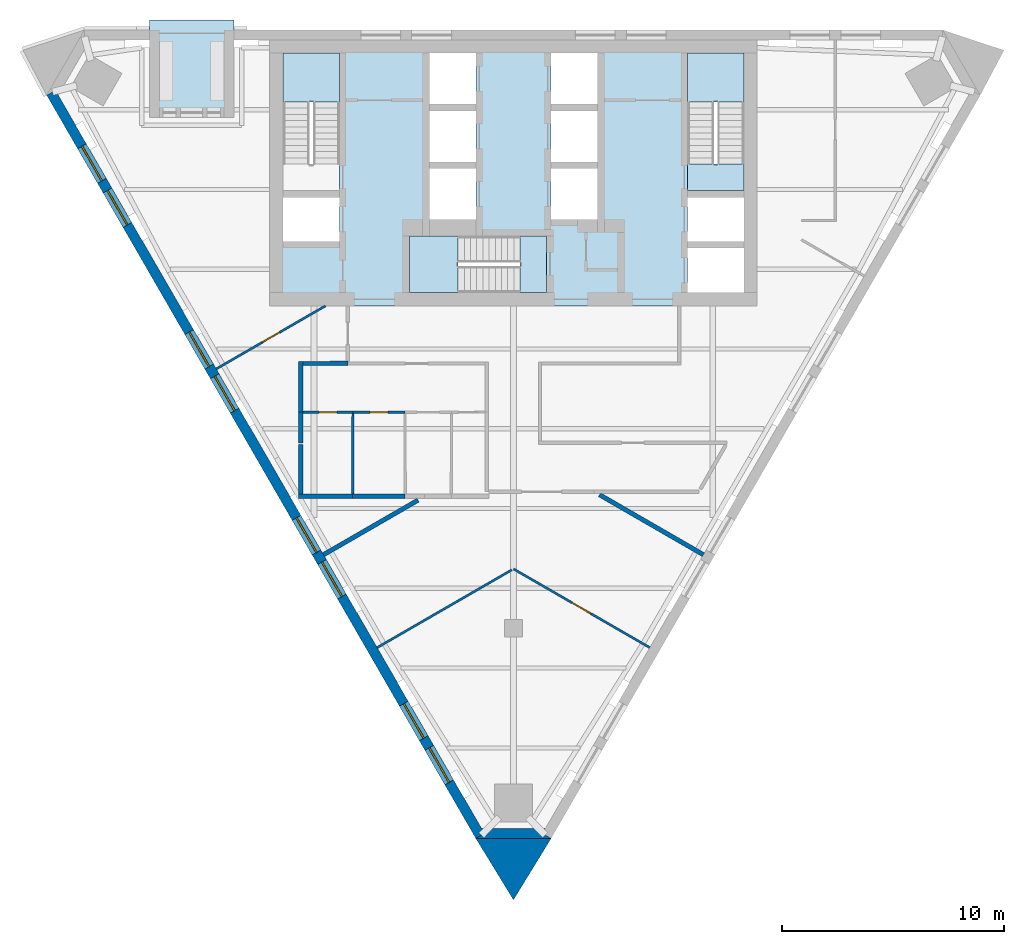
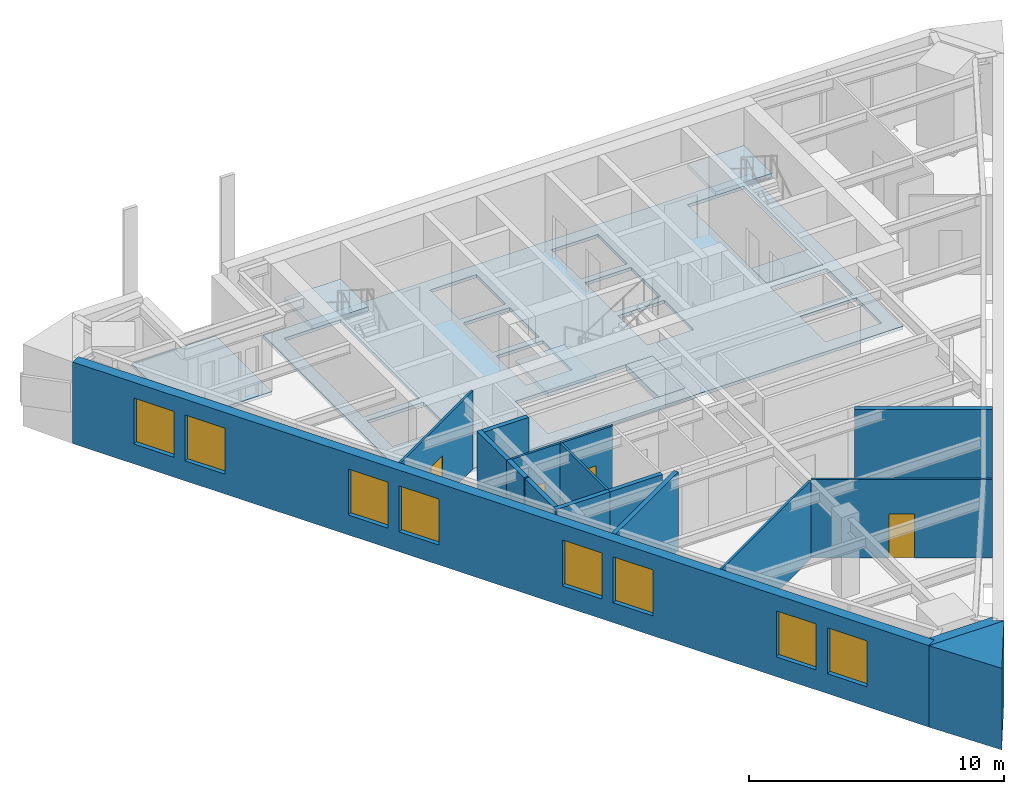
# One storey, part 2 of 6: 17 walls, 8 windows, 7 slabs, 4 doors, 12 openings, 3 elements without a shape of their own.
"""IFC4 building model written with IfcOpenShell, lengths in metres."""

import ifcopenshell
import ifcopenshell.guid

model = None  # the IFC model being written
_history = None  # IfcOwnerHistory: only IFC2X3 demands one
_inside = {}  # id of a spatial element -> (the spatial element, [elements in it])
_under = {}  # id of a project, library or spatial element -> (it, [spatial elements below it])
_declared = {}  # id of a project -> (the project, [libraries it declares])
_typed = {}  # id of a type object -> (the type object, [elements of that type])
_made_of = {}  # id of a material, layer set ... -> (it, [elements and type objects made of it])


def new_model(schema):
    """Start an empty IFC model of exactly this schema.

    Asked for "IFC4X3", IfcOpenShell would pick the latest addendum, in which some entities
    have other attributes; the version numbers below select the first issue.
    IFC2X3 requires an IfcOwnerHistory on every rooted entity: one is made here for all.
    """
    global model, _history
    if schema == "IFC4X3":
        model = ifcopenshell.file(schema_version=(4, 3, 0, 0))
    else:
        model = ifcopenshell.file(schema=schema)
    _inside.clear()
    _under.clear()
    _declared.clear()
    _typed.clear()
    _made_of.clear()
    _history = None
    if model.schema == "IFC2X3":
        org = make("IfcOrganization", Name="unknown")
        user = make(
            "IfcPersonAndOrganization",
            ThePerson=make("IfcPerson", FamilyName="unknown"),
            TheOrganization=org,
        )
        app = make(
            "IfcApplication",
            ApplicationDeveloper=org,
            Version="unknown",
            ApplicationFullName="unknown",
            ApplicationIdentifier="unknown",
        )
        _history = make(
            "IfcOwnerHistory",
            OwningUser=user,
            OwningApplication=app,
            ChangeAction="ADDED",
            CreationDate=0,
        )
    return model


def make(cls, **values):
    """One entity of the class cls with the attributes given. An attribute that is None is left unset."""
    return model.create_entity(
        cls, **{name: value for name, value in values.items() if value is not None}
    )


def rooted(cls, **values):
    """An entity with a GlobalId (a new one), such as an element, a storey or a relation."""
    return make(cls, GlobalId=ifcopenshell.guid.new(), OwnerHistory=_history, **values)


def si_unit(unit_type, name, prefix=None):
    """IfcSIUnit, for example si_unit("LENGTHUNIT", "METRE", prefix="MILLI")."""
    return make("IfcSIUnit", UnitType=unit_type, Prefix=prefix, Name=name)


def assignment(units):
    """IfcUnitAssignment: the units of a project."""
    return None if units is None else make("IfcUnitAssignment", Units=units)


def point(xyz):
    """IfcCartesianPoint."""
    return None if xyz is None else make("IfcCartesianPoint", Coordinates=xyz)


def direction(xyz):
    """IfcDirection."""
    return None if xyz is None else make("IfcDirection", DirectionRatios=xyz)


def frame(location, z_axis=None, x_axis=None):
    """IfcAxis2Placement3D, a coordinate frame: its origin and axes. An axis left out is left unset."""
    return make(
        "IfcAxis2Placement3D",
        Location=point(location),
        Axis=direction(z_axis),
        RefDirection=direction(x_axis),
    )


def frame_2d(location, x_axis=None):
    """IfcAxis2Placement2D, a coordinate frame in the plane: its origin and x axis."""
    return make(
        "IfcAxis2Placement2D", Location=point(location), RefDirection=direction(x_axis)
    )


def origin():
    """The frame at (0, 0, 0) with its axes left unset."""
    return frame((0.0, 0.0, 0.0))


def place(relative_to, where):
    """IfcLocalPlacement: puts the frame where relative to a parent placement (None: the world)."""
    return make(
        "IfcLocalPlacement", PlacementRelTo=relative_to, RelativePlacement=where
    )


def context(
    kind, dimensions, precision=None, world=None, true_north=None, identifier=None
):
    """IfcGeometricRepresentationContext, for example the 3D "Model" context."""
    return make(
        "IfcGeometricRepresentationContext",
        ContextIdentifier=identifier,
        ContextType=kind,
        CoordinateSpaceDimension=dimensions,
        Precision=precision,
        WorldCoordinateSystem=world,
        TrueNorth=true_north,
    )


def subcontext(parent, identifier, kind, view, scale=None):
    """IfcGeometricRepresentationSubContext, for example "Body" below "Model"."""
    return make(
        "IfcGeometricRepresentationSubContext",
        ContextIdentifier=identifier,
        ContextType=kind,
        ParentContext=parent,
        TargetScale=scale,
        TargetView=view,
    )


def project(units=None, contexts=None):
    """IfcProject with its units and contexts."""
    return rooted(
        "IfcProject",
        Name="project",
        RepresentationContexts=contexts,
        UnitsInContext=assignment(units),
    )


def spatial(cls, under=None, at=None, **own):
    """A site, building, storey or space (cls), placed at a placement, below another one or the project."""
    s = rooted(cls, ObjectPlacement=at, **own)
    if under is not None:
        _under.setdefault(under.id(), (under, []))[1].append(s)
    return s


def polyline(points):
    """IfcPolyline through the points."""
    return make("IfcPolyline", Points=[point(p) for p in points])


def profile(cls, at=None, kind="AREA", **sizes):
    """A parametric profile (cls). Its sizes go by their IFC names, for example OverallWidth=200.0."""
    return make(cls, ProfileType=kind, Position=at, **sizes)


def rectangle(**sizes):
    """IfcRectangleProfileDef."""
    return profile("IfcRectangleProfileDef", **sizes)


def outline(outer, holes=None, kind="AREA"):
    """IfcArbitraryClosedProfileDef: a profile drawn as a closed curve; with holes, ...WithVoids."""
    if holes is None:
        return make("IfcArbitraryClosedProfileDef", ProfileType=kind, OuterCurve=outer)
    return make(
        "IfcArbitraryProfileDefWithVoids",
        ProfileType=kind,
        OuterCurve=outer,
        InnerCurves=holes,
    )


def extrude(swept, where, along, depth):
    """IfcExtrudedAreaSolid: the profile swept, set in the frame where, extruded along a direction by depth."""
    return make(
        "IfcExtrudedAreaSolid",
        SweptArea=swept,
        Position=where,
        ExtrudedDirection=direction(along),
        Depth=depth,
    )


def shape(context_of_items, identifier, shape_type, items):
    """IfcShapeRepresentation: the items that make up one representation, for example the "Body"."""
    return make(
        "IfcShapeRepresentation",
        ContextOfItems=context_of_items,
        RepresentationIdentifier=identifier,
        RepresentationType=shape_type,
        Items=items,
    )


def material(Name=None, Category=None):
    """IfcMaterial."""
    return make("IfcMaterial", Name=Name, Category=Category)


def layer(
    of_material, thickness, ventilated=None, Name=None, Category=None, Priority=None
):
    """IfcMaterialLayer: one layer of a wall or slab, of a material (None: an air gap)."""
    return make(
        "IfcMaterialLayer",
        Material=of_material,
        LayerThickness=thickness,
        IsVentilated=ventilated,
        Name=Name,
        Category=Category,
        Priority=Priority,
    )


def layer_set(layers, Name=None):
    """IfcMaterialLayerSet."""
    return make("IfcMaterialLayerSet", MaterialLayers=layers, LayerSetName=Name)


def made_of(thing, what):
    """Note that an element or type object is made of a material, layer set ...; save() writes the relation."""
    if what is not None:
        _made_of.setdefault(what.id(), (what, []))[1].append(thing)
    return thing


def type_object(cls, material=None, **own):
    """A type object (cls), such as IfcWallType, which elements share."""
    return made_of(rooted(cls, **own), material)


def element(
    cls,
    number,
    at=None,
    inside=None,
    cuts=None,
    type_object=None,
    material=None,
    context=None,
    identifier="Body",
    shape_type=None,
    held_by="IfcProductDefinitionShape",
    body=None,
    shapes=None,
    **own,
):
    """One element of the class cls, such as IfcWall. Its Tag is "e" and its number.

    at: its placement. inside: the storey or other place that contains it. cuts: it is an
    opening in that element (IfcRelVoidsElement). A single representation is given by context,
    identifier, shape_type and body (its items); several are given by shapes. held_by: the class
    of the entity that holds the representations. save() writes the other relations.
    """
    e = rooted(cls, Tag="e%d" % number, ObjectPlacement=at, **own)
    if body is not None:
        shapes = [shape(context, identifier, shape_type, body)]
    if shapes is not None:
        e.Representation = make(held_by, Representations=shapes)
    if inside is not None:
        _inside.setdefault(inside.id(), (inside, []))[1].append(e)
    if cuts is not None:
        rooted(
            "IfcRelVoidsElement", RelatingBuildingElement=cuts, RelatedOpeningElement=e
        )
    if type_object is not None:
        _typed.setdefault(type_object.id(), (type_object, []))[1].append(e)
    return made_of(e, material)


def fill(opening, filler):
    """IfcRelFillsElement: the door or window that sits in an opening."""
    return rooted(
        "IfcRelFillsElement",
        RelatingOpeningElement=opening,
        RelatedBuildingElement=filler,
    )


def aggregate(whole, parts):
    """IfcRelAggregates: a whole, such as a stair, and the parts it consists of."""
    return rooted("IfcRelAggregates", RelatingObject=whole, RelatedObjects=parts)


def save(model, path):
    """Write the relations noted so far, then the file.

    IfcRelAggregates (storeys below a building ...), IfcRelContainedInSpatialStructure (elements
    in a storey), IfcRelDefinesByType, IfcRelAssociatesMaterial and IfcRelDeclares: one each for
    every whole, place, type object, material and project.
    """
    for whole, parts in _under.values():
        aggregate(whole, parts)
    for where, things in _inside.values():
        rooted(
            "IfcRelContainedInSpatialStructure",
            RelatedElements=things,
            RelatingStructure=where,
        )
    for kind, things in _typed.values():
        rooted("IfcRelDefinesByType", RelatedObjects=things, RelatingType=kind)
    for what, things in _made_of.values():
        rooted("IfcRelAssociatesMaterial", RelatedObjects=things, RelatingMaterial=what)
    for by, libraries in _declared.values():
        rooted("IfcRelDeclares", RelatingContext=by, RelatedDefinitions=libraries)
    model.write(path)


model = new_model("IFC4")

# Units and contexts
model_context = context("Model", 3, precision=1e-05, world=origin(), true_north=direction((0.0, 1.0)))
body_context = subcontext(model_context, "Body", "Model", "MODEL_VIEW")
ifc_project = project(units=[si_unit("LENGTHUNIT", "METRE"), si_unit("AREAUNIT", "SQUARE_METRE"), si_unit("VOLUMEUNIT", "CUBIC_METRE"), si_unit("PLANEANGLEUNIT", "RADIAN"), si_unit("MASSUNIT", "GRAM", prefix="KILO")], contexts=[model_context])

# Site, building, storey
site_placement = place(None, origin())
site = spatial("IfcSite", under=ifc_project, at=site_placement, CompositionType="ELEMENT")
building_placement = place(site_placement, origin())
building = spatial("IfcBuilding", under=site, at=building_placement, Name="Aloe Facet Convention Tower", CompositionType="ELEMENT")
storey_placement = place(building_placement, frame((0.0, 0.0, 191.89990234375)))
storey = spatial("IfcBuildingStorey", under=building, at=storey_placement, Name="L48", CompositionType="ELEMENT", Elevation=191.89990234375)

# Slabs
ifc_material_1 = material(Name="Concrete C50/60", Category="concrete")
ifc_layer_1 = layer(ifc_material_1, 0.14990234375)
ifc_layer_set_1 = layer_set([ifc_layer_1], Name="CR-S-FLOOR150-C5060")
slab_type_1 = type_object("IfcSlabType", Name="CR-S-FLOOR150-C5060", PredefinedType="FLOOR", material=ifc_layer_set_1)
slab_1_placement = place(storey_placement, frame((0.0, 0.0, -0.14990234375)))
element("IfcSlab", 1, at=slab_1_placement, inside=storey, type_object=slab_type_1, Name="Core floor L48", PredefinedType="FLOOR", context=body_context, shape_type="SweptSolid", body=[
    extrude(outline(polyline([(71.85009765625, 134.550048828125), (72.75, 134.550048828125), (75.60009765625, 134.550048828125), (76.5, 134.550048828125), (78.0, 134.550048828125), (78.89990234375, 134.550048828125), (81.10009765625, 134.550048828125), (82.0, 134.550048828125), (83.5, 134.550048828125), (84.39990234375, 134.550048828125), (87.25, 134.550048828125), (88.14990234375, 134.550048828125), (91.0, 134.550048828125), (91.0, 128.050048828125), (91.0, 127.14990234375), (91.0, 125.75), (91.0, 124.85009765625), (91.0, 122.550048828125), (88.14990234375, 122.550048828125), (87.25, 122.550048828125), (85.300048828125, 122.550048828125), (84.39990234375, 122.550048828125), (82.10009765625, 122.550048828125), (81.199951171875, 122.550048828125), (75.60009765625, 122.550048828125), (74.699951171875, 122.550048828125), (72.75, 122.550048828125), (71.85009765625, 122.550048828125), (69.0, 122.550048828125), (69.0, 124.85009765625), (69.0, 125.75), (69.0, 127.14990234375), (69.0, 128.050048828125), (69.0, 134.550048828125), (71.85009765625, 134.550048828125)]), holes=[polyline([(80.298828125, 123.14990234375), (81.5, 123.14990234375), (81.5, 125.699951171875), (80.298828125, 125.699951171875), (75.300048828125, 125.699951171875), (75.300048828125, 123.14990234375), (80.298828125, 123.14990234375)]), polyline([(69.60009765625, 125.449951171875), (72.14990234375, 125.449951171875), (72.14990234375, 127.449951171875), (69.60009765625, 127.449951171875), (69.60009765625, 125.449951171875)]), polyline([(76.199951171875, 126.449951171875), (78.300048828125, 126.449951171875), (78.300048828125, 128.75), (76.199951171875, 128.75), (76.199951171875, 126.449951171875)]), polyline([(78.300048828125, 129.050048828125), (78.300048828125, 131.35009765625), (76.199951171875, 131.35009765625), (76.199951171875, 129.050048828125), (78.300048828125, 129.050048828125)]), polyline([(69.60009765625, 133.949951171875), (69.60009765625, 128.951171875), (69.60009765625, 127.75), (72.14990234375, 127.75), (72.14990234375, 128.951171875), (72.14990234375, 133.949951171875), (69.60009765625, 133.949951171875)]), polyline([(76.199951171875, 131.64990234375), (78.300048828125, 131.64990234375), (78.300048828125, 133.949951171875), (76.199951171875, 133.949951171875), (76.199951171875, 131.64990234375)]), polyline([(90.39990234375, 123.14990234375), (90.39990234375, 125.14990234375), (87.85009765625, 125.14990234375), (87.85009765625, 123.14990234375), (90.39990234375, 123.14990234375)]), polyline([(87.85009765625, 125.449951171875), (90.39990234375, 125.449951171875), (90.39990234375, 127.449951171875), (87.85009765625, 127.449951171875), (87.85009765625, 125.449951171875)]), polyline([(81.699951171875, 126.449951171875), (83.800048828125, 126.449951171875), (83.800048828125, 128.75), (81.699951171875, 128.75), (81.699951171875, 126.449951171875)]), polyline([(83.800048828125, 129.050048828125), (83.800048828125, 131.35009765625), (81.699951171875, 131.35009765625), (81.699951171875, 129.050048828125), (83.800048828125, 129.050048828125)]), polyline([(87.85009765625, 133.949951171875), (87.85009765625, 128.951171875), (87.85009765625, 127.75), (90.39990234375, 127.75), (90.39990234375, 128.951171875), (90.39990234375, 133.949951171875), (87.85009765625, 133.949951171875)]), polyline([(81.699951171875, 131.64990234375), (83.800048828125, 131.64990234375), (83.800048828125, 133.949951171875), (81.699951171875, 133.949951171875), (81.699951171875, 131.64990234375)])]), origin(), (0.0, 0.0, 1.0), 0.14990234375),
])
ifc_material_2 = material(Name="Concrete C50/60", Category="concrete")
ifc_layer_2 = layer(ifc_material_2, 0.300048828125)
ifc_layer_set_2 = layer_set([ifc_layer_2], Name="CR-S-FLOOR300-C5060")
slab_type_2 = type_object("IfcSlabType", Name="CR-S-FLOOR300-C5060", PredefinedType="FLOOR", material=ifc_layer_set_2)
slab_2_placement = place(storey_placement, frame((0.0, 0.0, -0.2998046875)))
element("IfcSlab", 2, at=slab_2_placement, inside=storey, type_object=slab_type_2, Name="Stair landing floor L48", PredefinedType="FLOOR", context=body_context, shape_type="SweptSolid", body=[
    extrude(outline(polyline([(90.39990234375, 127.75), (90.39990234375, 128.951171875), (87.85009765625, 128.951171875), (87.85009765625, 127.75), (90.39990234375, 127.75)])), origin(), (0.0, 0.0, 1.0), 0.2998046875),
])
slab_3_placement = place(storey_placement, frame((0.0, 0.0, -0.2998046875)))
element("IfcSlab", 3, at=slab_3_placement, inside=storey, type_object=slab_type_2, Name="Stair landing floor L48", PredefinedType="FLOOR", context=body_context, shape_type="SweptSolid", body=[
    extrude(outline(polyline([(81.5, 125.699951171875), (80.298828125, 125.699951171875), (80.298828125, 123.14990234375), (81.5, 123.14990234375), (81.5, 125.699951171875)])), origin(), (0.0, 0.0, 1.0), 0.2998046875),
])

# Stair, slab
ifc_material_3 = material(Name="Concrete C50/60", Category="concrete")
stair_type = type_object("IfcStairType", Name="CR-ST-22R", PredefinedType="HALF_TURN_STAIR", material=ifc_material_3)
stair_1_placement = place(storey_placement, origin())
stair_1 = element("IfcStair", 4, at=stair_1_placement, inside=storey, type_object=stair_type, Name="L48 Protected exit stair ST1", PredefinedType="HALF_TURN_STAIR")
ifc_material_4 = material(Name="Concrete C50/60", Category="concrete")
ifc_layer_3 = layer(ifc_material_4, 0.199951171875)
ifc_layer_set_3 = layer_set([ifc_layer_3], Name="CR-SL-LANDING")
slab_type_3 = type_object("IfcSlabType", Name="CR-SL-LANDING", PredefinedType="LANDING", material=ifc_layer_set_3)
slab_4_placement = place(storey_placement, frame((0.0, 0.0, 1.75)))
slab_4 = element("IfcSlab", 5, at=slab_4_placement, type_object=slab_type_3, Name="ST1 landing 1", PredefinedType="LANDING", context=body_context, shape_type="SweptSolid", body=[
    extrude(outline(polyline([(72.14990234375, 131.75), (72.14990234375, 133.949951171875), (69.60009765625, 133.949951171875), (69.60009765625, 131.75), (72.14990234375, 131.75)])), origin(), (0.0, 0.0, 1.0), 0.2001953125),
])
aggregate(stair_1, [slab_4])

stair_2_placement = place(storey_placement, origin())
stair_2 = element("IfcStair", 6, at=stair_2_placement, inside=storey, type_object=stair_type, Name="L48 Protected exit stair ST2", PredefinedType="HALF_TURN_STAIR")
slab_5_placement = place(storey_placement, frame((0.0, 0.0, 1.75)))
slab_5 = element("IfcSlab", 7, at=slab_5_placement, type_object=slab_type_3, Name="ST2 landing 1", PredefinedType="LANDING", context=body_context, shape_type="SweptSolid", body=[
    extrude(outline(polyline([(90.39990234375, 131.75), (90.39990234375, 133.949951171875), (87.85009765625, 133.949951171875), (87.85009765625, 131.75), (90.39990234375, 131.75)])), origin(), (0.0, 0.0, 1.0), 0.2001953125),
])
aggregate(stair_2, [slab_5])

stair_3_placement = place(storey_placement, origin())
stair_3 = element("IfcStair", 8, at=stair_3_placement, inside=storey, type_object=stair_type, Name="L48 Protected exit stair ST3", PredefinedType="HALF_TURN_STAIR")
slab_6_placement = place(storey_placement, frame((0.0, 0.0, 1.75)))
slab_6 = element("IfcSlab", 9, at=slab_6_placement, type_object=slab_type_3, Name="ST3 landing 1", PredefinedType="LANDING", context=body_context, shape_type="SweptSolid", body=[
    extrude(outline(polyline([(77.5, 125.699951171875), (75.300048828125, 125.699951171875), (75.300048828125, 123.14990234375), (77.5, 123.14990234375), (77.5, 125.699951171875)])), origin(), (0.0, 0.0, 1.0), 0.2001953125),
])
aggregate(stair_3, [slab_6])

# Slab
ifc_material_5 = material(Name="Concrete C35/45", Category="concrete")
ifc_layer_4 = layer(ifc_material_5, 0.14990234375)
ifc_layer_set_4 = layer_set([ifc_layer_4], Name="SF-TS-150")
slab_type_4 = type_object("IfcSlabType", Name="SF-TS-150", PredefinedType="FLOOR", material=ifc_layer_set_4)
slab_7_placement = place(storey_placement, frame((0.0, 0.0, -0.14990234375)))
element("IfcSlab", 10, at=slab_7_placement, inside=storey, type_object=slab_type_4, Name="Terrace slab T10", PredefinedType="FLOOR", context=body_context, shape_type="SweptSolid", body=[
    extrude(outline(polyline([(67.37646484375, 135.449951171875), (67.37646484375, 131.050048828125), (63.576416015625, 131.050048828125), (63.576416015625, 135.449951171875), (67.37646484375, 135.449951171875)])), origin(), (0.0, 0.0, 1.0), 0.14990234375),
])

# Walls
ifc_material_6 = material(Name="Precast concrete C40/50", Category="concrete")
ifc_layer_5 = layer(ifc_material_6, 0.449951171875)
ifc_layer_set_5 = layer_set([ifc_layer_5], Name="EV-WALL-PIER")
wall_type_1 = type_object("IfcWallType", Name="EV-WALL-PIER", PredefinedType="SOLIDWALL", material=ifc_layer_set_5)
wall_1_placement = place(storey_placement, frame((0.0, 0.0, -0.14990234375)))
element("IfcWall", 11, at=wall_1_placement, inside=storey, type_object=wall_type_1, Name="EP-L48-B", PredefinedType="SOLIDWALL", context=body_context, shape_type="SweptSolid", body=[
    extrude(outline(polyline([(78.300048828125, 98.514892578125), (78.689697265625, 98.739990234375), (78.559814453125, 98.965087890625), (81.440185546875, 98.965087890625), (81.310302734375, 98.739990234375), (81.699951171875, 98.514892578125), (78.300048828125, 98.514892578125)])), origin(), (0.0, 0.0, 1.0), 3.89990234375),
])
ifc_material_7 = material(Name="Precast concrete C40/50", Category="concrete")
ifc_layer_6 = layer(ifc_material_7, 3.947998046875)
ifc_layer_set_6 = layer_set([ifc_layer_6], Name="EV-WALL-SPINE")
wall_type_2 = type_object("IfcWallType", Name="EV-WALL-SPINE", PredefinedType="SOLIDWALL", material=ifc_layer_set_6)
wall_2_placement = place(storey_placement, frame((0.0, 0.0, -0.14990234375)))
element("IfcWall", 12, at=wall_2_placement, inside=storey, type_object=wall_type_2, Name="SP-S-L48", PredefinedType="SOLIDWALL", context=body_context, shape_type="SweptSolid", body=[
    extrude(outline(polyline([(78.300048828125, 98.514892578125), (80.0, 95.738037109375), (81.699951171875, 98.514892578125), (78.300048828125, 98.514892578125)])), origin(), (0.0, 0.0, 1.0), 3.89990234375),
])

# Wall, openings, windows
ifc_material_8 = material(Name="Precast concrete C40/50", Category="concrete")
ifc_layer_7 = layer(ifc_material_8, 0.449951171875)
ifc_layer_set_7 = layer_set([ifc_layer_7], Name="EV-WALL-STONE")
wall_type_3 = type_object("IfcWallType", Name="EV-WALL-STONE", PredefinedType="SOLIDWALL", material=ifc_layer_set_7)
wall_3_placement = place(storey_placement, frame((59.130126953125, 132.16796875, -0.14990234375), z_axis=(0.0, 0.0, 1.0), x_axis=(0.500002199942, -0.866024133644, 0.0)))
wall_3 = element("IfcWall", 13, at=wall_3_placement, inside=storey, type_object=wall_type_3, Name="EW-L48-W01", PredefinedType="SOLIDWALL", context=body_context, shape_type="SweptSolid", body=[
    extrude(outline(polyline([(38.729248046875, 0.0), (38.729248046875, 3.89990234375), (0.0, 3.89990234375), (0.0, 0.0), (38.729248046875, 0.0)])), frame((0.0, 0.22509765625, 0.0), z_axis=(0.0, -1.0, 0.0), x_axis=(1.0, 0.0, 0.0)), (0.0, 0.0, 1.0), 0.449951171875),
])
opening_1_placement = place(wall_3_placement, frame((2.791259765625, 0.0, 0.949951171875)))
opening_1 = element("IfcOpeningElement", 14, at=opening_1_placement, cuts=wall_3, Name="Opening W-L48-W01", PredefinedType="OPENING", context=body_context, shape_type="SweptSolid", body=[
    extrude(rectangle(XDim=1.800048828125, YDim=2.199951171875, at=frame_2d((0.89990234375, 1.10009765625))), frame((0.0, 0.23486328125, 0.0), z_axis=(0.0, -1.0, 0.0), x_axis=(1.0, 0.0, 0.0)), (0.0, 0.0, 1.0), 0.469970703125),
])
opening_2_placement = place(wall_3_placement, frame((5.091064453125, 0.0, 0.949951171875)))
opening_2 = element("IfcOpeningElement", 15, at=opening_2_placement, cuts=wall_3, Name="Opening W-L48-W02", PredefinedType="OPENING", context=body_context, shape_type="SweptSolid", body=[
    extrude(rectangle(XDim=1.800048828125, YDim=2.199951171875, at=frame_2d((0.89990234375, 1.10009765625))), frame((0.0, 0.23486328125, 0.0), z_axis=(0.0, -1.0, 0.0), x_axis=(1.0, 0.0, 0.0)), (0.0, 0.0, 1.0), 0.469970703125),
])
opening_3_placement = place(wall_3_placement, frame((12.473388671875, 0.0, 0.949951171875)))
opening_3 = element("IfcOpeningElement", 16, at=opening_3_placement, cuts=wall_3, Name="Opening W-L48-W03", PredefinedType="OPENING", context=body_context, shape_type="SweptSolid", body=[
    extrude(rectangle(XDim=1.800048828125, YDim=2.199951171875, at=frame_2d((0.89990234375, 1.10009765625))), frame((0.0, 0.23486328125, 0.0), z_axis=(0.0, -1.0, 0.0), x_axis=(1.0, 0.0, 0.0)), (0.0, 0.0, 1.0), 0.469970703125),
])
opening_4_placement = place(wall_3_placement, frame((14.7734375, 0.0, 0.949951171875)))
opening_4 = element("IfcOpeningElement", 17, at=opening_4_placement, cuts=wall_3, Name="Opening W-L48-W04", PredefinedType="OPENING", context=body_context, shape_type="SweptSolid", body=[
    extrude(rectangle(XDim=1.800048828125, YDim=2.199951171875, at=frame_2d((0.89990234375, 1.10009765625))), frame((0.0, 0.23486328125, 0.0), z_axis=(0.0, -1.0, 0.0), x_axis=(1.0, 0.0, 0.0)), (0.0, 0.0, 1.0), 0.469970703125),
])
opening_5_placement = place(wall_3_placement, frame((22.15576171875, 0.0, 0.949951171875)))
opening_5 = element("IfcOpeningElement", 18, at=opening_5_placement, cuts=wall_3, Name="Opening W-L48-W05", PredefinedType="OPENING", context=body_context, shape_type="SweptSolid", body=[
    extrude(rectangle(XDim=1.800048828125, YDim=2.199951171875, at=frame_2d((0.89990234375, 1.10009765625))), frame((0.0, 0.23486328125, 0.0), z_axis=(0.0, -1.0, 0.0), x_axis=(1.0, 0.0, 0.0)), (0.0, 0.0, 1.0), 0.469970703125),
])
opening_6_placement = place(wall_3_placement, frame((24.455810546875, 0.0, 0.949951171875)))
opening_6 = element("IfcOpeningElement", 19, at=opening_6_placement, cuts=wall_3, Name="Opening W-L48-W06", PredefinedType="OPENING", context=body_context, shape_type="SweptSolid", body=[
    extrude(rectangle(XDim=1.800048828125, YDim=2.199951171875, at=frame_2d((0.89990234375, 1.10009765625))), frame((0.0, 0.23486328125, 0.0), z_axis=(0.0, -1.0, 0.0), x_axis=(1.0, 0.0, 0.0)), (0.0, 0.0, 1.0), 0.469970703125),
])
opening_7_placement = place(wall_3_placement, frame((31.838134765625, 0.0, 0.949951171875)))
opening_7 = element("IfcOpeningElement", 20, at=opening_7_placement, cuts=wall_3, Name="Opening W-L48-W07", PredefinedType="OPENING", context=body_context, shape_type="SweptSolid", body=[
    extrude(rectangle(XDim=1.800048828125, YDim=2.199951171875, at=frame_2d((0.89990234375, 1.10009765625))), frame((0.0, 0.23486328125, 0.0), z_axis=(0.0, -1.0, 0.0), x_axis=(1.0, 0.0, 0.0)), (0.0, 0.0, 1.0), 0.469970703125),
])
opening_8_placement = place(wall_3_placement, frame((34.13818359375, 0.0, 0.949951171875)))
opening_8 = element("IfcOpeningElement", 21, at=opening_8_placement, cuts=wall_3, Name="Opening W-L48-W08", PredefinedType="OPENING", context=body_context, shape_type="SweptSolid", body=[
    extrude(rectangle(XDim=1.800048828125, YDim=2.199951171875, at=frame_2d((0.89990234375, 1.10009765625))), frame((0.0, 0.23486328125, 0.0), z_axis=(0.0, -1.0, 0.0), x_axis=(1.0, 0.0, 0.0)), (0.0, 0.0, 1.0), 0.469970703125),
])
ifc_material_9 = material(Name="Aluminium frame, clear double glazing", Category="aluminium")
window_type = type_object("IfcWindowType", Name="EV-WIN-O18", PartitioningType="SINGLE_PANEL", PredefinedType="WINDOW", material=ifc_material_9)
window_1_placement = place(opening_1_placement, origin())
window_1 = element("IfcWindow", 22, at=window_1_placement, inside=storey, type_object=window_type, Name="W-L48-W01", OverallHeight=2.199951171875, OverallWidth=1.800048828125, PartitioningType="SINGLE_PANEL", PredefinedType="WINDOW", context=body_context, shape_type="SweptSolid", body=[
    extrude(rectangle(XDim=1.800048828125, YDim=2.199951171875, at=frame_2d((0.89990234375, 1.10009765625))), frame((0.0, 0.030029296875, 0.0), z_axis=(0.0, -1.0, 0.0), x_axis=(1.0, 0.0, 0.0)), (0.0, 0.0, 1.0), 0.06005859375),
])
fill(opening_1, window_1)
window_2_placement = place(opening_2_placement, origin())
window_2 = element("IfcWindow", 23, at=window_2_placement, inside=storey, type_object=window_type, Name="W-L48-W02", OverallHeight=2.199951171875, OverallWidth=1.800048828125, PartitioningType="SINGLE_PANEL", PredefinedType="WINDOW", context=body_context, shape_type="SweptSolid", body=[
    extrude(rectangle(XDim=1.800048828125, YDim=2.199951171875, at=frame_2d((0.89990234375, 1.10009765625))), frame((0.0, 0.030029296875, 0.0), z_axis=(0.0, -1.0, 0.0), x_axis=(1.0, 0.0, 0.0)), (0.0, 0.0, 1.0), 0.06005859375),
])
fill(opening_2, window_2)
window_3_placement = place(opening_3_placement, origin())
window_3 = element("IfcWindow", 24, at=window_3_placement, inside=storey, type_object=window_type, Name="W-L48-W03", OverallHeight=2.199951171875, OverallWidth=1.800048828125, PartitioningType="SINGLE_PANEL", PredefinedType="WINDOW", context=body_context, shape_type="SweptSolid", body=[
    extrude(rectangle(XDim=1.800048828125, YDim=2.199951171875, at=frame_2d((0.89990234375, 1.10009765625))), frame((0.0, 0.030029296875, 0.0), z_axis=(0.0, -1.0, 0.0), x_axis=(1.0, 0.0, 0.0)), (0.0, 0.0, 1.0), 0.06005859375),
])
fill(opening_3, window_3)
window_4_placement = place(opening_4_placement, origin())
window_4 = element("IfcWindow", 25, at=window_4_placement, inside=storey, type_object=window_type, Name="W-L48-W04", OverallHeight=2.199951171875, OverallWidth=1.800048828125, PartitioningType="SINGLE_PANEL", PredefinedType="WINDOW", context=body_context, shape_type="SweptSolid", body=[
    extrude(rectangle(XDim=1.800048828125, YDim=2.199951171875, at=frame_2d((0.89990234375, 1.10009765625))), frame((0.0, 0.030029296875, 0.0), z_axis=(0.0, -1.0, 0.0), x_axis=(1.0, 0.0, 0.0)), (0.0, 0.0, 1.0), 0.06005859375),
])
fill(opening_4, window_4)
window_5_placement = place(opening_5_placement, origin())
window_5 = element("IfcWindow", 26, at=window_5_placement, inside=storey, type_object=window_type, Name="W-L48-W05", OverallHeight=2.199951171875, OverallWidth=1.800048828125, PartitioningType="SINGLE_PANEL", PredefinedType="WINDOW", context=body_context, shape_type="SweptSolid", body=[
    extrude(rectangle(XDim=1.800048828125, YDim=2.199951171875, at=frame_2d((0.89990234375, 1.10009765625))), frame((0.0, 0.030029296875, 0.0), z_axis=(0.0, -1.0, 0.0), x_axis=(1.0, 0.0, 0.0)), (0.0, 0.0, 1.0), 0.06005859375),
])
fill(opening_5, window_5)
window_6_placement = place(opening_6_placement, origin())
window_6 = element("IfcWindow", 27, at=window_6_placement, inside=storey, type_object=window_type, Name="W-L48-W06", OverallHeight=2.199951171875, OverallWidth=1.800048828125, PartitioningType="SINGLE_PANEL", PredefinedType="WINDOW", context=body_context, shape_type="SweptSolid", body=[
    extrude(rectangle(XDim=1.800048828125, YDim=2.199951171875, at=frame_2d((0.89990234375, 1.10009765625))), frame((0.0, 0.030029296875, 0.0), z_axis=(0.0, -1.0, 0.0), x_axis=(1.0, 0.0, 0.0)), (0.0, 0.0, 1.0), 0.06005859375),
])
fill(opening_6, window_6)
window_7_placement = place(opening_7_placement, origin())
window_7 = element("IfcWindow", 28, at=window_7_placement, inside=storey, type_object=window_type, Name="W-L48-W07", OverallHeight=2.199951171875, OverallWidth=1.800048828125, PartitioningType="SINGLE_PANEL", PredefinedType="WINDOW", context=body_context, shape_type="SweptSolid", body=[
    extrude(rectangle(XDim=1.800048828125, YDim=2.199951171875, at=frame_2d((0.89990234375, 1.10009765625))), frame((0.0, 0.030029296875, 0.0), z_axis=(0.0, -1.0, 0.0), x_axis=(1.0, 0.0, 0.0)), (0.0, 0.0, 1.0), 0.06005859375),
])
fill(opening_7, window_7)
window_8_placement = place(opening_8_placement, origin())
window_8 = element("IfcWindow", 29, at=window_8_placement, inside=storey, type_object=window_type, Name="W-L48-W08", OverallHeight=2.199951171875, OverallWidth=1.800048828125, PartitioningType="SINGLE_PANEL", PredefinedType="WINDOW", context=body_context, shape_type="SweptSolid", body=[
    extrude(rectangle(XDim=1.800048828125, YDim=2.199951171875, at=frame_2d((0.89990234375, 1.10009765625))), frame((0.0, 0.030029296875, 0.0), z_axis=(0.0, -1.0, 0.0), x_axis=(1.0, 0.0, 0.0)), (0.0, 0.0, 1.0), 0.06005859375),
])
fill(opening_8, window_8)

# Wall, opening, door
ifc_material_10 = material(Name="Gypsum board partition on steel studs", Category="steel")
ifc_layer_8 = layer(ifc_material_10, 0.10009765625)
ifc_layer_set_8 = layer_set([ifc_layer_8], Name="IN-W-PART")
wall_type_4 = type_object("IfcWallType", Name="IN-W-PART", PredefinedType="PARTITIONING", material=ifc_layer_set_8)
wall_4_placement = place(storey_placement, frame((80.0, 110.6767578125, 0.0), z_axis=(0.0, 0.0, 1.0), x_axis=(0.866024174161, -0.500002129764, 0.0)))
wall_4 = element("IfcWall", 30, at=wall_4_placement, inside=storey, type_object=wall_type_4, Name="Partition L48-W001", PredefinedType="PARTITIONING", context=body_context, shape_type="SweptSolid", body=[
    extrude(rectangle(XDim=7.10302734375, YDim=0.10009765625, at=frame_2d((3.551513671875, 0.0))), origin(), (0.0, 0.0, 1.0), 3.75),
])
opening_9_placement = place(wall_4_placement, frame((3.051513671875, 0.0, 0.0)))
opening_9 = element("IfcOpeningElement", 31, at=opening_9_placement, cuts=wall_4, Name="Opening L48-011", PredefinedType="OPENING", context=body_context, shape_type="SweptSolid", body=[
    extrude(rectangle(XDim=1.0, YDim=2.10009765625, at=frame_2d((0.5, 1.050048828125))), frame((0.0, 0.06005859375, 0.0), z_axis=(0.0, -1.0, 0.0), x_axis=(1.0, 0.0, 0.0)), (0.0, 0.0, 1.0), 0.1201171875),
])
ifc_material_11 = material(Name="Timber door", Category="wood")
door_type_1 = type_object("IfcDoorType", Name="IN-OFF-D-WIDE", OperationType="SINGLE_SWING_LEFT", PredefinedType="DOOR", material=ifc_material_11)
door_1_placement = place(opening_9_placement, origin())
door_1 = element("IfcDoor", 32, at=door_1_placement, inside=storey, type_object=door_type_1, Name="Door L48-011", OperationType="SINGLE_SWING_LEFT", OverallHeight=2.10009765625, OverallWidth=1.0, PredefinedType="DOOR", context=body_context, shape_type="SweptSolid", body=[
    extrude(rectangle(XDim=1.0, YDim=2.10009765625, at=frame_2d((0.5, 1.050048828125))), frame((0.0, 0.02490234375, 0.0), z_axis=(0.0, -1.0, 0.0), x_axis=(1.0, 0.0, 0.0)), (0.0, 0.0, 1.0), 0.050048828125),
])
fill(opening_9, door_1)

# Walls
wall_5_placement = place(storey_placement, frame((73.8486328125, 107.125244140625, 0.0), z_axis=(0.0, 0.0, 1.0), x_axis=(0.866035511351, 0.499982492772, 0.0)))
element("IfcWall", 33, at=wall_5_placement, inside=storey, type_object=wall_type_4, Name="Partition L48-W002", PredefinedType="PARTITIONING", context=body_context, shape_type="SweptSolid", body=[
    extrude(rectangle(XDim=7.016357421875, YDim=0.10009765625, at=frame_2d((3.50830078125, 0.0))), origin(), (0.0, 0.0, 1.0), 3.75),
])
wall_6_placement = place(storey_placement, frame((72.7421875, 114.050048828125, 0.0), z_axis=(0.0, 0.0, 1.0), x_axis=(0.002675575707, 0.999996420641, 0.0)))
element("IfcWall", 34, at=wall_6_placement, inside=storey, type_object=wall_type_4, Name="Partition L48-W018", PredefinedType="PARTITIONING", context=body_context, shape_type="SweptSolid", body=[
    extrude(rectangle(XDim=3.64990234375, YDim=0.10009765625, at=frame_2d((1.824951171875, 0.0))), origin(), (0.0, 0.0, 1.0), 3.75),
])

# Wall, opening, door
wall_7_placement = place(storey_placement, frame((70.5, 117.75, 0.0), z_axis=(0.0, 0.0, 1.0), x_axis=(1.0, 0.0, 0.0)))
wall_7 = element("IfcWall", 35, at=wall_7_placement, inside=storey, type_object=wall_type_4, Name="Partition L48-W019", PredefinedType="PARTITIONING", context=body_context, shape_type="SweptSolid", body=[
    extrude(rectangle(XDim=2.251953125, YDim=0.10009765625, at=frame_2d((1.1259765625, 0.0))), origin(), (0.0, 0.0, 1.0), 3.75),
])
opening_10_placement = place(wall_7_placement, frame((0.72607421875, 0.0, 0.0)))
opening_10 = element("IfcOpeningElement", 36, at=opening_10_placement, cuts=wall_7, Name="Opening L48-002", PredefinedType="OPENING", context=body_context, shape_type="SweptSolid", body=[
    extrude(rectangle(XDim=0.800048828125, YDim=2.10009765625, at=frame_2d((0.39990234375, 1.050048828125))), frame((0.0, 0.06005859375, 0.0), z_axis=(0.0, -1.0, 0.0), x_axis=(1.0, 0.0, 0.0)), (0.0, 0.0, 1.0), 0.1201171875),
])
ifc_material_12 = material(Name="Timber door", Category="wood")
door_type_2 = type_object("IfcDoorType", Name="IN-OFF-D-WC", OperationType="SINGLE_SWING_LEFT", PredefinedType="DOOR", material=ifc_material_12)
door_2_placement = place(opening_10_placement, origin())
door_2 = element("IfcDoor", 37, at=door_2_placement, inside=storey, type_object=door_type_2, Name="Door L48-002", OperationType="SINGLE_SWING_LEFT", OverallHeight=2.10009765625, OverallWidth=0.800048828125, PredefinedType="DOOR", context=body_context, shape_type="SweptSolid", body=[
    extrude(rectangle(XDim=0.800048828125, YDim=2.10009765625, at=frame_2d((0.39990234375, 1.050048828125))), frame((0.0, 0.02490234375, 0.0), z_axis=(0.0, -1.0, 0.0), x_axis=(1.0, 0.0, 0.0)), (0.0, 0.0, 1.0), 0.050048828125),
])
fill(opening_10, door_2)

wall_8_placement = place(storey_placement, frame((72.751953125, 117.75, 0.0), z_axis=(0.0, 0.0, 1.0), x_axis=(1.0, 0.0, 0.0)))
wall_8 = element("IfcWall", 38, at=wall_8_placement, inside=storey, type_object=wall_type_4, Name="Partition L48-W021", PredefinedType="PARTITIONING", context=body_context, shape_type="SweptSolid", body=[
    extrude(rectangle(XDim=2.35205078125, YDim=0.10009765625, at=frame_2d((1.176025390625, 0.0))), origin(), (0.0, 0.0, 1.0), 3.75),
])
opening_11_placement = place(wall_8_placement, frame((0.77587890625, 0.0, 0.0)))
opening_11 = element("IfcOpeningElement", 39, at=opening_11_placement, cuts=wall_8, Name="Opening L48-003", PredefinedType="OPENING", context=body_context, shape_type="SweptSolid", body=[
    extrude(rectangle(XDim=0.800048828125, YDim=2.10009765625, at=frame_2d((0.39990234375, 1.050048828125))), frame((0.0, 0.06005859375, 0.0), z_axis=(0.0, -1.0, 0.0), x_axis=(1.0, 0.0, 0.0)), (0.0, 0.0, 1.0), 0.1201171875),
])
door_3_placement = place(opening_11_placement, origin())
door_3 = element("IfcDoor", 40, at=door_3_placement, inside=storey, type_object=door_type_2, Name="Door L48-003", OperationType="SINGLE_SWING_LEFT", OverallHeight=2.10009765625, OverallWidth=0.800048828125, PredefinedType="DOOR", context=body_context, shape_type="SweptSolid", body=[
    extrude(rectangle(XDim=0.800048828125, YDim=2.10009765625, at=frame_2d((0.39990234375, 1.050048828125))), frame((0.0, 0.02490234375, 0.0), z_axis=(0.0, -1.0, 0.0), x_axis=(1.0, 0.0, 0.0)), (0.0, 0.0, 1.0), 0.050048828125),
])
fill(opening_11, door_3)

wall_9_placement = place(storey_placement, frame((66.5869140625, 119.702880859375, 0.0), z_axis=(0.0, 0.0, 1.0), x_axis=(0.866023511746, 0.500003277092, 0.0)))
wall_9 = element("IfcWall", 41, at=wall_9_placement, inside=storey, type_object=wall_type_4, Name="Partition L48-W026", PredefinedType="PARTITIONING", context=body_context, shape_type="SweptSolid", body=[
    extrude(rectangle(XDim=5.6943359375, YDim=0.10009765625, at=frame_2d((2.84716796875, 0.0))), origin(), (0.0, 0.0, 1.0), 3.75),
])
opening_12_placement = place(wall_9_placement, frame((2.397216796875, 0.0, 0.0)))
opening_12 = element("IfcOpeningElement", 42, at=opening_12_placement, cuts=wall_9, Name="Opening L48-007", PredefinedType="OPENING", context=body_context, shape_type="SweptSolid", body=[
    extrude(rectangle(XDim=0.89990234375, YDim=2.10009765625, at=frame_2d((0.449951171875, 1.050048828125))), frame((0.0, 0.06005859375, 0.0), z_axis=(0.0, -1.0, 0.0), x_axis=(1.0, 0.0, 0.0)), (0.0, 0.0, 1.0), 0.1201171875),
])
ifc_material_13 = material(Name="Timber door", Category="wood")
door_type_3 = type_object("IfcDoorType", Name="IN-OFF-D-ROOM", OperationType="SINGLE_SWING_LEFT", PredefinedType="DOOR", material=ifc_material_13)
door_4_placement = place(opening_12_placement, origin())
door_4 = element("IfcDoor", 43, at=door_4_placement, inside=storey, type_object=door_type_3, Name="Door L48-007", OperationType="SINGLE_SWING_LEFT", OverallHeight=2.10009765625, OverallWidth=0.89990234375, PredefinedType="DOOR", context=body_context, shape_type="SweptSolid", body=[
    extrude(rectangle(XDim=0.89990234375, YDim=2.10009765625, at=frame_2d((0.449951171875, 1.050048828125))), frame((0.0, 0.02490234375, 0.0), z_axis=(0.0, -1.0, 0.0), x_axis=(1.0, 0.0, 0.0)), (0.0, 0.0, 1.0), 0.050048828125),
])
fill(opening_12, door_4)

# Walls
ifc_material_14 = material(Name="Gypsum board partition on steel studs", Category="steel")
ifc_layer_9 = layer(ifc_material_14, 0.199951171875)
ifc_layer_set_9 = layer_set([ifc_layer_9], Name="IN-W-PARTY")
wall_type_5 = type_object("IfcWallType", Name="IN-W-PARTY", PredefinedType="PARTITIONING", material=ifc_layer_set_9)
wall_10_placement = place(storey_placement, frame((71.427978515625, 111.317626953125, 0.0), z_axis=(0.0, 0.0, 1.0), x_axis=(0.86601964755, 0.500009969958, 0.0)))
element("IfcWall", 44, at=wall_10_placement, inside=storey, type_object=wall_type_5, Name="Partition L48-W003", PredefinedType="PARTITIONING", context=body_context, shape_type="SweptSolid", body=[
    extrude(rectangle(XDim=4.9248046875, YDim=0.199951171875, at=frame_2d((2.46240234375, 0.0))), origin(), (0.0, 0.0, 1.0), 3.75),
])
wall_11_placement = place(storey_placement, frame((70.302001953125, 113.949951171875, 0.0), z_axis=(0.0, 0.0, 1.0), x_axis=(1.0, 0.0, 0.0)))
element("IfcWall", 45, at=wall_11_placement, inside=storey, type_object=wall_type_5, Name="Partition L48-W004", PredefinedType="PARTITIONING", context=body_context, shape_type="SweptSolid", body=[
    extrude(rectangle(XDim=2.43994140625, YDim=0.199951171875, at=frame_2d((1.219970703125, 0.0))), origin(), (0.0, 0.0, 1.0), 3.75),
])
wall_12_placement = place(storey_placement, frame((72.741943359375, 113.949951171875, 0.0), z_axis=(0.0, 0.0, 1.0), x_axis=(1.0, 0.0, 0.0)))
element("IfcWall", 46, at=wall_12_placement, inside=storey, type_object=wall_type_5, Name="Partition L48-W005", PredefinedType="PARTITIONING", context=body_context, shape_type="SweptSolid", body=[
    extrude(rectangle(XDim=2.3720703125, YDim=0.199951171875, at=frame_2d((1.18603515625, 0.0))), origin(), (0.0, 0.0, 1.0), 3.75),
])
wall_13_placement = place(storey_placement, frame((83.884033203125, 114.024169921875, 0.0), z_axis=(0.0, 0.0, 1.0), x_axis=(0.866030869389, -0.499990533176, 0.0)))
element("IfcWall", 47, at=wall_13_placement, inside=storey, type_object=wall_type_5, Name="Partition L48-W012", PredefinedType="PARTITIONING", context=body_context, shape_type="SweptSolid", body=[
    extrude(rectangle(XDim=5.4130859375, YDim=0.199951171875, at=frame_2d((2.70654296875, 0.0))), origin(), (0.0, 0.0, 1.0), 3.75),
])
wall_14_placement = place(storey_placement, frame((70.40185546875, 114.050048828125, 0.0), z_axis=(0.0, 0.0, 1.0), x_axis=(-0.000868809403, 0.999999622585, 0.0)))
element("IfcWall", 48, at=wall_14_placement, inside=storey, type_object=wall_type_5, Name="Partition L48-W014", PredefinedType="PARTITIONING", context=body_context, shape_type="SweptSolid", body=[
    extrude(rectangle(XDim=2.248046875, YDim=0.199951171875, at=frame_2d((1.1240234375, 0.0))), origin(), (0.0, 0.0, 1.0), 3.75),
])
wall_15_placement = place(storey_placement, frame((70.39990234375, 116.36669921875, 0.0), z_axis=(0.0, 0.0, 1.0), x_axis=(0.0, 1.0, 0.0)))
element("IfcWall", 49, at=wall_15_placement, inside=storey, type_object=wall_type_5, Name="Partition L48-W025", PredefinedType="PARTITIONING", context=body_context, shape_type="SweptSolid", body=[
    extrude(rectangle(XDim=1.38330078125, YDim=0.199951171875, at=frame_2d((0.691650390625, 0.0))), origin(), (0.0, 0.0, 1.0), 3.75),
])
wall_16_placement = place(storey_placement, frame((70.39990234375, 117.75, 0.0), z_axis=(0.0, 0.0, 1.0), x_axis=(0.0, 1.0, 0.0)))
element("IfcWall", 50, at=wall_16_placement, inside=storey, type_object=wall_type_5, Name="Partition L48-W027", PredefinedType="PARTITIONING", context=body_context, shape_type="SweptSolid", body=[
    extrude(rectangle(XDim=2.298095703125, YDim=0.199951171875, at=frame_2d((1.14892578125, 0.0))), origin(), (0.0, 0.0, 1.0), 3.75),
])
wall_17_placement = place(storey_placement, frame((70.5, 119.947998046875, 0.0), z_axis=(0.0, 0.0, 1.0), x_axis=(0.999999534819, 0.00096455224, 0.0)))
element("IfcWall", 51, at=wall_17_placement, inside=storey, type_object=wall_type_5, Name="Partition L48-W028", PredefinedType="PARTITIONING", context=body_context, shape_type="SweptSolid", body=[
    extrude(rectangle(XDim=2.02490234375, YDim=0.199951171875, at=frame_2d((1.012451171875, 0.0))), origin(), (0.0, 0.0, 1.0), 3.75),
])

save(model, "model.ifc")
